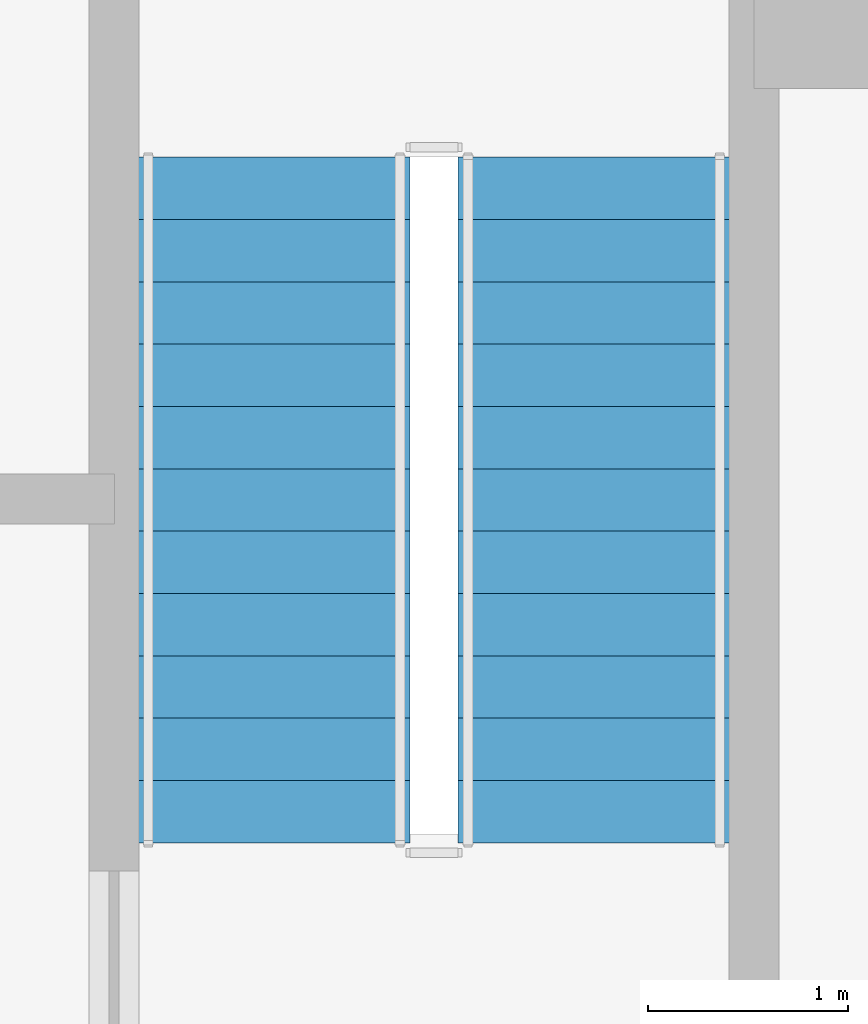
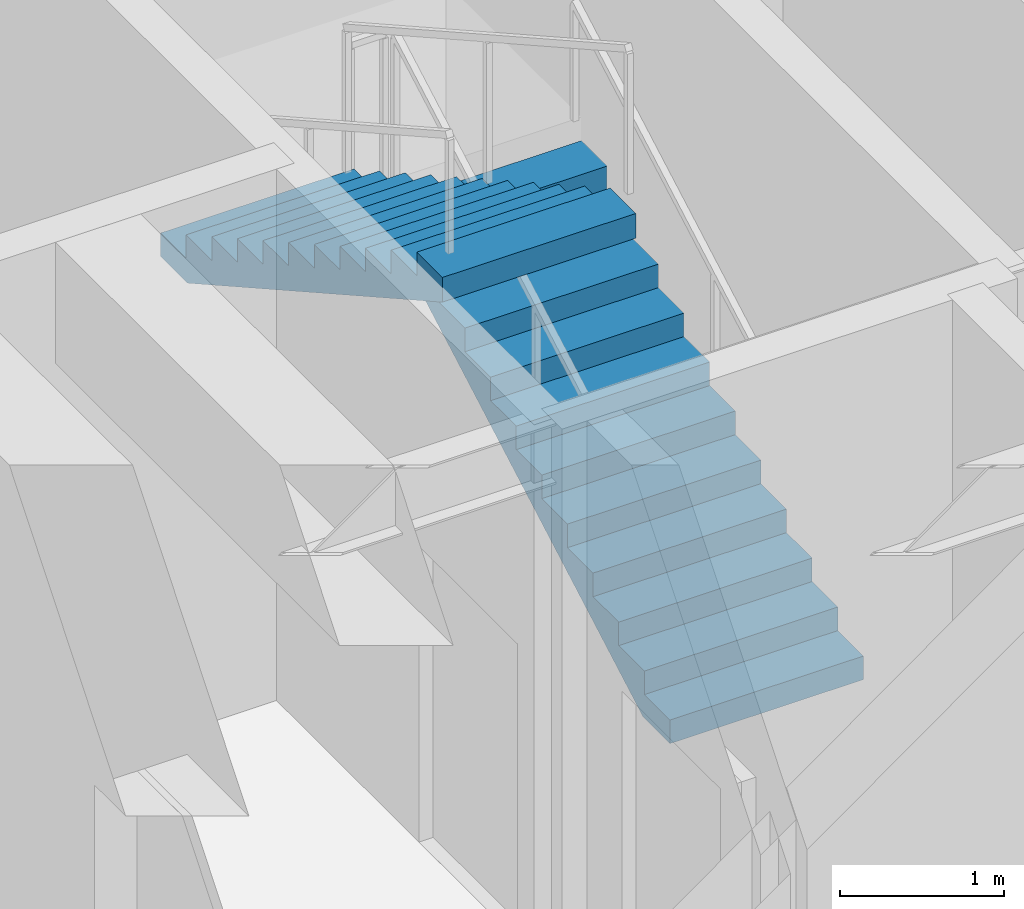
# One storey, part 7 of 9: 2 stair flights, 1 element without a shape of its own.
"""IFC4 building model written with IfcOpenShell, lengths in metres."""

from ifc_helpers import new_model, si_unit, direction, frame, origin, place, context, subcontext, project, spatial, polyline, outline, extrude, material, type_object, element, aggregate, save


model = new_model("IFC4")

# Units and contexts
model_context = context("Model", 3, precision=1e-05, world=origin(), true_north=direction((0.0, 1.0)))
body_context = subcontext(model_context, "Body", "Model", "MODEL_VIEW")
ifc_project = project(units=[si_unit("LENGTHUNIT", "METRE"), si_unit("AREAUNIT", "SQUARE_METRE"), si_unit("VOLUMEUNIT", "CUBIC_METRE"), si_unit("PLANEANGLEUNIT", "RADIAN"), si_unit("MASSUNIT", "GRAM", prefix="KILO")], contexts=[model_context])

# Site, building, storey
site_placement = place(None, origin())
site = spatial("IfcSite", under=ifc_project, at=site_placement, CompositionType="ELEMENT")
building_placement = place(site_placement, origin())
building = spatial("IfcBuilding", under=site, at=building_placement, Name="Keilestroom Media Tower", CompositionType="ELEMENT")
storey_placement = place(building_placement, frame((0.0, 0.0, -4.199951171875)))
storey = spatial("IfcBuildingStorey", under=building, at=storey_placement, Name="B1", CompositionType="ELEMENT", Elevation=-4.199951171875)

# Stair, stair flights
ifc_material_1 = material(Name="Concrete C45/55", Category="concrete")
stair_type = type_object("IfcStairType", Name="Enclosed-Dog-Leg-Stair-ST-CORE", PredefinedType="HALF_TURN_STAIR", material=ifc_material_1)
stair_placement = place(storey_placement, origin())
stair = element("IfcStair", 1, at=stair_placement, inside=storey, type_object=stair_type, Name="B1 East Core Escape Stair ST-2", PredefinedType="HALF_TURN_STAIR")
ifc_material_2 = material(Name="Precast concrete C40/50", Category="concrete")
stair_flight_type = type_object("IfcStairFlightType", Name="Precast-Concrete-Stair-Flight-Core-160", PredefinedType="STRAIGHT", material=ifc_material_2)
stair_flight_1_placement = place(storey_placement, frame((10.580078125, 1.5, 0.0), z_axis=(0.0, 0.0, 1.0), x_axis=(0.0, 1.0, 0.0)))
stair_flight_1 = element("IfcStairFlight", 2, at=stair_flight_1_placement, type_object=stair_flight_type, Name="ST-2 flight 1", NumberOfRisers=12, NumberOfTreads=11, PredefinedType="STRAIGHT", RiserHeight=0.175, TreadLength=0.312, context=body_context, shape_type="SweptSolid", body=[
    extrude(outline(polyline([(0.0, 0.0), (0.0, 0.175048828125), (0.31201171875, 0.175048828125), (0.31201171875, 0.35009765625), (0.6240234375, 0.35009765625), (0.6240234375, 0.52490234375), (0.93603515625, 0.52490234375), (0.93603515625, 0.699951171875), (1.248046875, 0.699951171875), (1.248046875, 0.875), (1.56005859375, 0.875), (1.56005859375, 1.050048828125), (1.8720703125, 1.050048828125), (1.8720703125, 1.22509765625), (2.18408203125, 1.22509765625), (2.18408203125, 1.39990234375), (2.49609375, 1.39990234375), (2.49609375, 1.574951171875), (2.80810546875, 1.574951171875), (2.80810546875, 1.75), (3.1201171875, 1.75), (3.1201171875, 1.925048828125), (3.431884765625, 1.925048828125), (3.431884765625, 2.10009765625), (3.431884765625, 1.74169921875), (0.326904296875, 0.0), (0.0, 0.0)])), frame((0.0, 0.68017578125, 0.0), z_axis=(0.0, -1.0, 0.0), x_axis=(1.0, 0.0, 0.0)), (0.0, 0.0, 1.0), 1.360107421875),
])
stair_flight_2_placement = place(storey_placement, frame((8.97998046875, 4.931884765625, 2.099853515625), z_axis=(0.0, 0.0, 1.0), x_axis=(0.0, -1.0, 0.0)))
stair_flight_2 = element("IfcStairFlight", 3, at=stair_flight_2_placement, type_object=stair_flight_type, Name="ST-2 flight 2", NumberOfRisers=12, NumberOfTreads=11, PredefinedType="STRAIGHT", RiserHeight=0.175, TreadLength=0.312, context=body_context, shape_type="SweptSolid", body=[
    extrude(outline(polyline([(0.0, 0.0), (0.0, 0.175048828125), (0.31201171875, 0.175048828125), (0.31201171875, 0.35009765625), (0.6240234375, 0.35009765625), (0.6240234375, 0.52490234375), (0.93603515625, 0.52490234375), (0.93603515625, 0.699951171875), (1.248046875, 0.699951171875), (1.248046875, 0.875), (1.56005859375, 0.875), (1.56005859375, 1.050048828125), (1.8720703125, 1.050048828125), (1.8720703125, 1.22509765625), (2.18408203125, 1.22509765625), (2.18408203125, 1.39990234375), (2.49609375, 1.39990234375), (2.49609375, 1.574951171875), (2.80810546875, 1.574951171875), (2.80810546875, 1.75), (3.1201171875, 1.75), (3.1201171875, 1.925048828125), (3.431884765625, 1.925048828125), (3.431884765625, 2.10009765625), (3.431884765625, 1.74169921875), (0.326904296875, 0.0), (0.0, 0.0)])), frame((0.0, 0.68017578125, 0.0), z_axis=(0.0, -1.0, 0.0), x_axis=(1.0, 0.0, 0.0)), (0.0, 0.0, 1.0), 1.360107421875),
])
aggregate(stair, [stair_flight_1, stair_flight_2])

save(model, "model.ifc")
